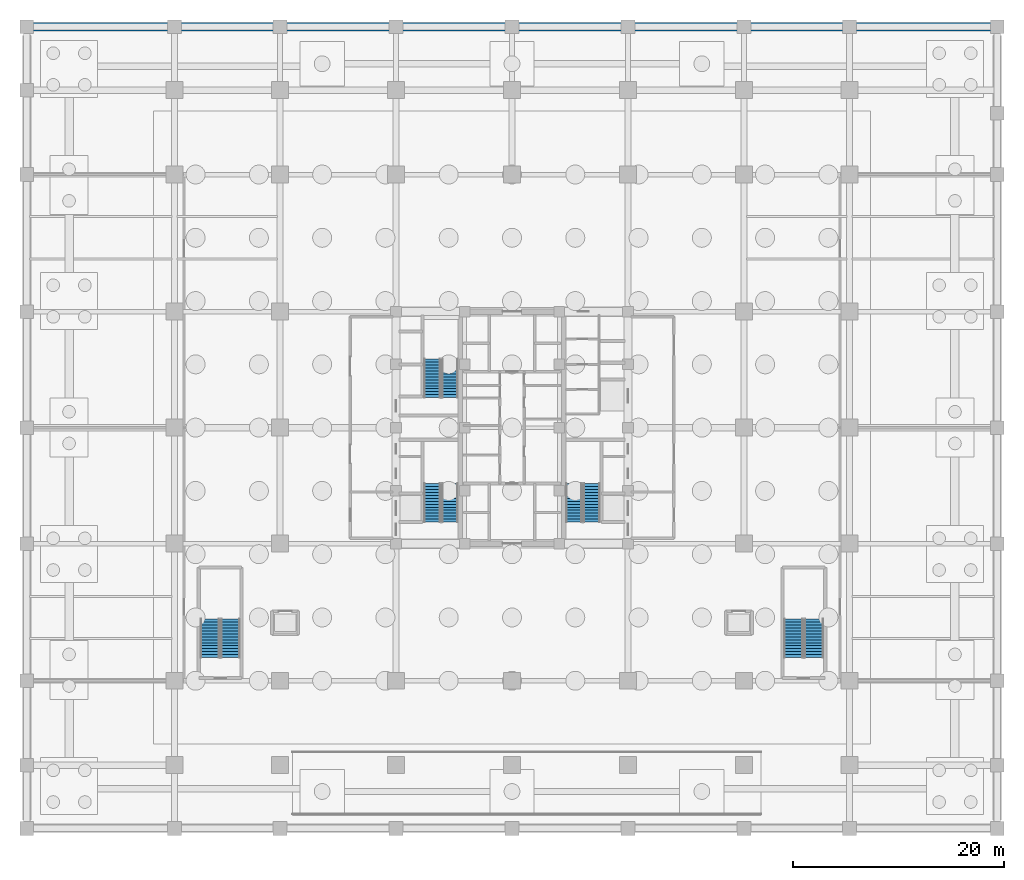
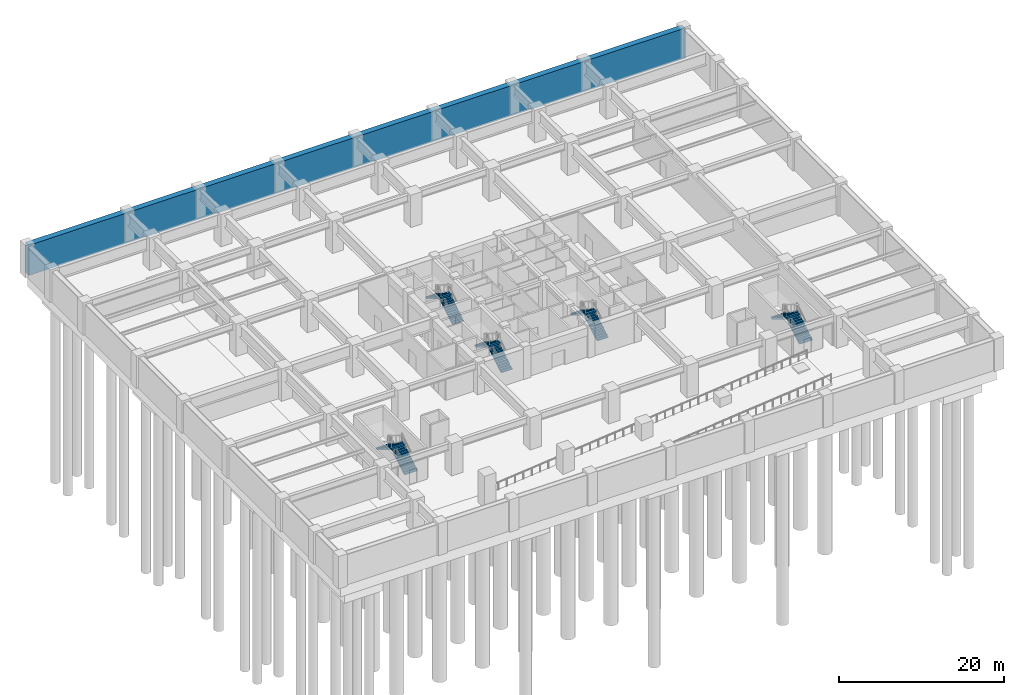
# One storey, part 8 of 13: 10 stair flights, 1 wall, 5 elements without a shape of their own.
"""IFC4 building model written with IfcOpenShell, lengths in metres."""

from ifc_helpers import new_model, si_unit, direction, frame, frame_2d, origin, place, context, subcontext, project, spatial, polyline, rectangle, outline, extrude, source, transform, mapped, material, layer, layer_set, type_object, element, aggregate, save


model = new_model("IFC4")

# Units and contexts
model_context = context("Model", 3, precision=1e-05, world=origin(), true_north=direction((0.0, 1.0)))
body_context = subcontext(model_context, "Body", "Model", "MODEL_VIEW")
ifc_project = project(units=[si_unit("LENGTHUNIT", "METRE"), si_unit("AREAUNIT", "SQUARE_METRE"), si_unit("VOLUMEUNIT", "CUBIC_METRE"), si_unit("PLANEANGLEUNIT", "RADIAN"), si_unit("MASSUNIT", "GRAM", prefix="KILO")], contexts=[model_context])

# Site, building, storey
site_placement = place(None, origin())
site = spatial("IfcSite", under=ifc_project, at=site_placement, CompositionType="ELEMENT")
building_placement = place(site_placement, origin())
building = spatial("IfcBuilding", under=site, at=building_placement, Name="Khorayat Bourse Tower", CompositionType="ELEMENT")
storey_placement = place(building_placement, frame((0.0, 0.0, -9.60009765625)))
storey = spatial("IfcBuildingStorey", under=building, at=storey_placement, Name="B02", CompositionType="ELEMENT", Elevation=-9.60009765625)

# Wall
ifc_material_1 = material(Name="Concrete C50/60", Category="concrete")
ifc_layer = layer(ifc_material_1, 0.800048828125)
ifc_layer_set = layer_set([ifc_layer], Name="Concrete C50/60")
wall_type = type_object("IfcWallType", Name="WAL-RET-800", PredefinedType="USERDEFINED", material=ifc_layer_set)
shared_shape_1 = source(origin(), body_context, "Body", "SweptSolid", [
    extrude(rectangle(XDim=92.0, YDim=0.800048828125, at=frame_2d((46.0, 0.0))), origin(), (0.0, 0.0, 1.0), 4.47998046875),
])
wall_placement = place(storey_placement, frame((-46.0, 38.0, 0.0), z_axis=(0.0, 0.0, 1.0), x_axis=(1.0, 0.0, 0.0)))
element("IfcWall", 1, at=wall_placement, inside=storey, type_object=wall_type, Name="B02 Perimeter Retaining Wall N", ObjectType="RETAINING WALL", PredefinedType="USERDEFINED", context=body_context, shape_type="MappedRepresentation", body=[
    mapped(shared_shape_1, transform((0.0, 0.0, 0.0), scale=1.0)),
])

# Stair, stair flights
ifc_material_2 = material(Name="Concrete C40/50", Category="concrete")
stair_type_1 = type_object("IfcStairType", Name="STR-CORE-1550", PredefinedType="HALF_TURN_STAIR", material=ifc_material_2)
stair_1_placement = place(storey_placement, origin())
stair_1 = element("IfcStair", 2, at=stair_1_placement, inside=storey, type_object=stair_type_1, Name="B02 Exit Stair ST-1", PredefinedType="HALF_TURN_STAIR")
stair_flight_type_1 = type_object("IfcStairFlightType", Name="FLT-CORE-1550", PredefinedType="STRAIGHT", material=ifc_material_2)
shared_shape_2 = source(origin(), body_context, "Body", "SweptSolid", [
    extrude(outline(polyline([(0.0, 0.0), (0.0, 0.17138671875), (0.280029296875, 0.17138671875), (0.280029296875, 0.3427734375), (0.56005859375, 0.3427734375), (0.56005859375, 0.514404296875), (0.840087890625, 0.514404296875), (0.840087890625, 0.685791015625), (1.1201171875, 0.685791015625), (1.1201171875, 0.857177734375), (1.39990234375, 0.857177734375), (1.39990234375, 1.028564453125), (1.679931640625, 1.028564453125), (1.679931640625, 1.199951171875), (1.9599609375, 1.199951171875), (1.9599609375, 1.371337890625), (2.239990234375, 1.371337890625), (2.239990234375, 1.54296875), (2.52001953125, 1.54296875), (2.52001953125, 1.71435546875), (2.800048828125, 1.71435546875), (2.800048828125, 1.8857421875), (3.080078125, 1.8857421875), (3.080078125, 2.05712890625), (3.360107421875, 2.05712890625), (3.360107421875, 2.228515625), (3.639892578125, 2.228515625), (3.639892578125, 2.39990234375), (3.639892578125, 2.017578125), (0.344482421875, 0.0), (0.0, 0.0)])), frame((0.0, 0.77490234375, 0.0), z_axis=(0.0, -1.0, 0.0), x_axis=(1.0, 0.0, 0.0)), (0.0, 0.0, 1.0), 1.550048828125),
])
stair_flight_1_placement = place(storey_placement, frame((-5.875, -8.949951171875, 0.0), z_axis=(0.0, 0.0, 1.0), x_axis=(0.0, 1.0, 0.0)))
stair_flight_1 = element("IfcStairFlight", 3, at=stair_flight_1_placement, type_object=stair_flight_type_1, Name="ST-1 flight 1", NumberOfRisers=14, NumberOfTreads=13, PredefinedType="STRAIGHT", RiserHeight=0.171428571, TreadLength=0.28, context=body_context, shape_type="MappedRepresentation", body=[
    mapped(shared_shape_2, transform((0.0, 0.0, 0.0), scale=1.0)),
])
stair_flight_2_placement = place(storey_placement, frame((-7.574951171875, -5.31005859375, 2.400146484375), z_axis=(0.0, 0.0, 1.0), x_axis=(0.0, -1.0, 0.0)))
stair_flight_2 = element("IfcStairFlight", 4, at=stair_flight_2_placement, type_object=stair_flight_type_1, Name="ST-1 flight 2", NumberOfRisers=14, NumberOfTreads=13, PredefinedType="STRAIGHT", RiserHeight=0.171428571, TreadLength=0.28, context=body_context, shape_type="MappedRepresentation", body=[
    mapped(shared_shape_2, transform((0.0, 0.0, 0.0), scale=1.0)),
])
aggregate(stair_1, [stair_flight_1, stair_flight_2])

stair_2_placement = place(storey_placement, origin())
stair_2 = element("IfcStair", 5, at=stair_2_placement, inside=storey, type_object=stair_type_1, Name="B02 Exit Stair ST-2", PredefinedType="HALF_TURN_STAIR")
stair_flight_3_placement = place(storey_placement, frame((-5.875, 2.85009765625, 0.0), z_axis=(0.0, 0.0, 1.0), x_axis=(0.0, 1.0, 0.0)))
stair_flight_3 = element("IfcStairFlight", 6, at=stair_flight_3_placement, type_object=stair_flight_type_1, Name="ST-2 flight 1", NumberOfRisers=14, NumberOfTreads=13, PredefinedType="STRAIGHT", RiserHeight=0.171428571, TreadLength=0.28, context=body_context, shape_type="MappedRepresentation", body=[
    mapped(shared_shape_2, transform((0.0, 0.0, 0.0), scale=1.0)),
])
stair_flight_4_placement = place(storey_placement, frame((-7.574951171875, 6.489990234375, 2.400146484375), z_axis=(0.0, 0.0, 1.0), x_axis=(0.0, -1.0, 0.0)))
stair_flight_4 = element("IfcStairFlight", 7, at=stair_flight_4_placement, type_object=stair_flight_type_1, Name="ST-2 flight 2", NumberOfRisers=14, NumberOfTreads=13, PredefinedType="STRAIGHT", RiserHeight=0.171428571, TreadLength=0.28, context=body_context, shape_type="MappedRepresentation", body=[
    mapped(shared_shape_2, transform((0.0, 0.0, 0.0), scale=1.0)),
])
aggregate(stair_2, [stair_flight_3, stair_flight_4])

stair_3_placement = place(storey_placement, origin())
stair_3 = element("IfcStair", 8, at=stair_3_placement, inside=storey, type_object=stair_type_1, Name="B02 Exit Stair ST-3", PredefinedType="HALF_TURN_STAIR")
stair_flight_5_placement = place(storey_placement, frame((7.574951171875, -8.949951171875, 0.0), z_axis=(0.0, 0.0, 1.0), x_axis=(0.0, 1.0, 0.0)))
stair_flight_5 = element("IfcStairFlight", 9, at=stair_flight_5_placement, type_object=stair_flight_type_1, Name="ST-3 flight 1", NumberOfRisers=14, NumberOfTreads=13, PredefinedType="STRAIGHT", RiserHeight=0.171428571, TreadLength=0.28, context=body_context, shape_type="MappedRepresentation", body=[
    mapped(shared_shape_2, transform((0.0, 0.0, 0.0), scale=1.0)),
])
stair_flight_6_placement = place(storey_placement, frame((5.875, -5.31005859375, 2.400146484375), z_axis=(0.0, 0.0, 1.0), x_axis=(0.0, -1.0, 0.0)))
stair_flight_6 = element("IfcStairFlight", 10, at=stair_flight_6_placement, type_object=stair_flight_type_1, Name="ST-3 flight 2", NumberOfRisers=14, NumberOfTreads=13, PredefinedType="STRAIGHT", RiserHeight=0.171428571, TreadLength=0.28, context=body_context, shape_type="MappedRepresentation", body=[
    mapped(shared_shape_2, transform((0.0, 0.0, 0.0), scale=1.0)),
])
aggregate(stair_3, [stair_flight_5, stair_flight_6])

stair_type_2 = type_object("IfcStairType", Name="STR-POD-1800", PredefinedType="HALF_TURN_STAIR", material=ifc_material_2)
stair_4_placement = place(storey_placement, origin())
stair_4 = element("IfcStair", 11, at=stair_4_placement, inside=storey, type_object=stair_type_2, Name="B02 Exit Stair ST-P1", PredefinedType="HALF_TURN_STAIR")
stair_flight_type_2 = type_object("IfcStairFlightType", Name="FLT-POD-1800", PredefinedType="STRAIGHT", material=ifc_material_2)
shared_shape_3 = source(origin(), body_context, "Body", "SweptSolid", [
    extrude(outline(polyline([(0.0, 0.0), (0.0, 0.17138671875), (0.280029296875, 0.17138671875), (0.280029296875, 0.3427734375), (0.56005859375, 0.3427734375), (0.56005859375, 0.514404296875), (0.840087890625, 0.514404296875), (0.840087890625, 0.685791015625), (1.1201171875, 0.685791015625), (1.1201171875, 0.857177734375), (1.39990234375, 0.857177734375), (1.39990234375, 1.028564453125), (1.679931640625, 1.028564453125), (1.679931640625, 1.199951171875), (1.9599609375, 1.199951171875), (1.9599609375, 1.371337890625), (2.239990234375, 1.371337890625), (2.239990234375, 1.54296875), (2.52001953125, 1.54296875), (2.52001953125, 1.71435546875), (2.800048828125, 1.71435546875), (2.800048828125, 1.8857421875), (3.080078125, 1.8857421875), (3.080078125, 2.05712890625), (3.360107421875, 2.05712890625), (3.360107421875, 2.228515625), (3.639892578125, 2.228515625), (3.639892578125, 2.39990234375), (3.639892578125, 1.994140625), (0.383056640625, 0.0), (0.0, 0.0)])), frame((0.0, 0.89990234375, 0.0), z_axis=(0.0, -1.0, 0.0), x_axis=(1.0, 0.0, 0.0)), (0.0, 0.0, 1.0), 1.800048828125),
])
stair_flight_7_placement = place(storey_placement, frame((-26.699951171875, -21.800048828125, 0.0), z_axis=(0.0, 0.0, 1.0), x_axis=(0.0, 1.0, 0.0)))
stair_flight_7 = element("IfcStairFlight", 12, at=stair_flight_7_placement, type_object=stair_flight_type_2, Name="ST-P1 flight 1", NumberOfRisers=14, NumberOfTreads=13, PredefinedType="STRAIGHT", RiserHeight=0.171428571, TreadLength=0.28, context=body_context, shape_type="MappedRepresentation", body=[
    mapped(shared_shape_3, transform((0.0, 0.0, 0.0), scale=1.0)),
])
stair_flight_8_placement = place(storey_placement, frame((-28.64990234375, -18.159912109375, 2.400146484375), z_axis=(0.0, 0.0, 1.0), x_axis=(0.0, -1.0, 0.0)))
stair_flight_8 = element("IfcStairFlight", 13, at=stair_flight_8_placement, type_object=stair_flight_type_2, Name="ST-P1 flight 2", NumberOfRisers=14, NumberOfTreads=13, PredefinedType="STRAIGHT", RiserHeight=0.171428571, TreadLength=0.28, context=body_context, shape_type="MappedRepresentation", body=[
    mapped(shared_shape_3, transform((0.0, 0.0, 0.0), scale=1.0)),
])
aggregate(stair_4, [stair_flight_7, stair_flight_8])

stair_5_placement = place(storey_placement, origin())
stair_5 = element("IfcStair", 14, at=stair_5_placement, inside=storey, type_object=stair_type_2, Name="B02 Exit Stair ST-P2", PredefinedType="HALF_TURN_STAIR")
stair_flight_9_placement = place(storey_placement, frame((28.64990234375, -21.800048828125, 0.0), z_axis=(0.0, 0.0, 1.0), x_axis=(0.0, 1.0, 0.0)))
stair_flight_9 = element("IfcStairFlight", 15, at=stair_flight_9_placement, type_object=stair_flight_type_2, Name="ST-P2 flight 1", NumberOfRisers=14, NumberOfTreads=13, PredefinedType="STRAIGHT", RiserHeight=0.171428571, TreadLength=0.28, context=body_context, shape_type="MappedRepresentation", body=[
    mapped(shared_shape_3, transform((0.0, 0.0, 0.0), scale=1.0)),
])
stair_flight_10_placement = place(storey_placement, frame((26.699951171875, -18.159912109375, 2.400146484375), z_axis=(0.0, 0.0, 1.0), x_axis=(0.0, -1.0, 0.0)))
stair_flight_10 = element("IfcStairFlight", 16, at=stair_flight_10_placement, type_object=stair_flight_type_2, Name="ST-P2 flight 2", NumberOfRisers=14, NumberOfTreads=13, PredefinedType="STRAIGHT", RiserHeight=0.171428571, TreadLength=0.28, context=body_context, shape_type="MappedRepresentation", body=[
    mapped(shared_shape_3, transform((0.0, 0.0, 0.0), scale=1.0)),
])
aggregate(stair_5, [stair_flight_9, stair_flight_10])

save(model, "model.ifc")
